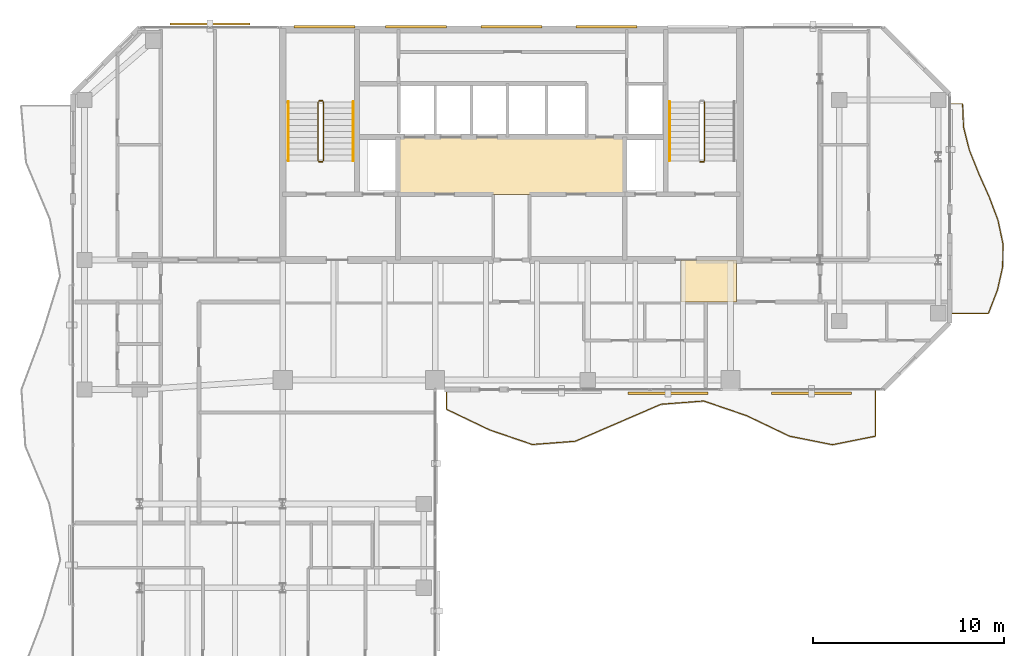
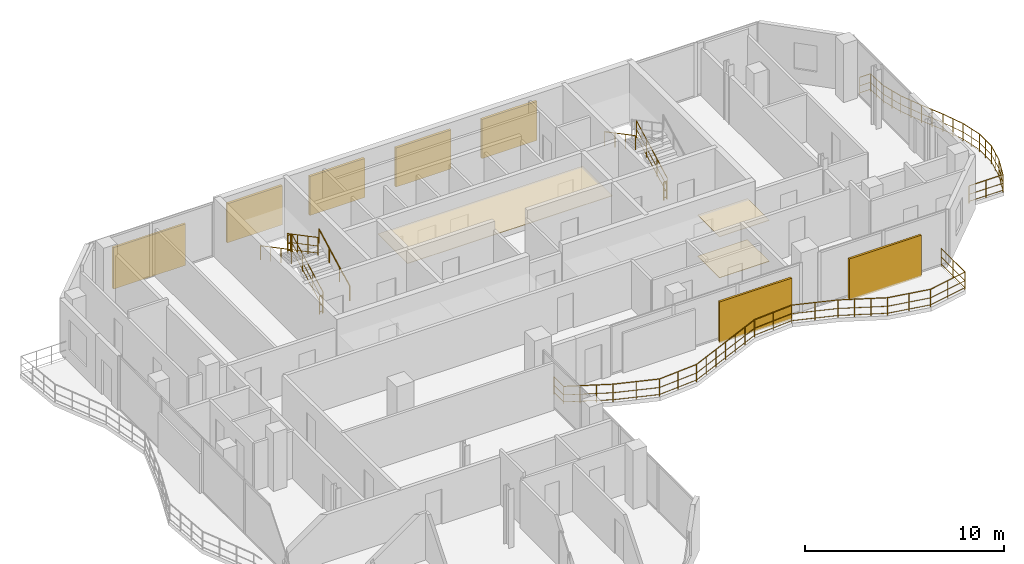
# One storey, part 22 of 23: 11 railings, 7 shading devices, 3 coverings.
"""IFC4 building model written with IfcOpenShell, lengths in metres."""

from ifc_helpers import new_model, si_unit, direction, frame, origin, origin_2d, place, context, subcontext, project, spatial, polyline, rectangle, circle, outline, extrude, material, layer, layer_set, type_object, element, save


model = new_model("IFC4")

# Units and contexts
model_context = context("Model", 3, precision=1e-05, world=origin(), true_north=direction((0.0, 1.0)))
body_context = subcontext(model_context, "Body", "Model", "MODEL_VIEW")
ifc_project = project(units=[si_unit("LENGTHUNIT", "METRE"), si_unit("AREAUNIT", "SQUARE_METRE"), si_unit("VOLUMEUNIT", "CUBIC_METRE"), si_unit("PLANEANGLEUNIT", "RADIAN"), si_unit("MASSUNIT", "GRAM", prefix="KILO")], contexts=[model_context])

# Site, building, storey
site_placement = place(None, origin())
site = spatial("IfcSite", under=ifc_project, at=site_placement, CompositionType="ELEMENT")
building_placement = place(site_placement, origin())
building = spatial("IfcBuilding", under=site, at=building_placement, Name="Catumbela Crestline Tower", CompositionType="ELEMENT")
storey_placement = place(building_placement, frame((0.0, 0.0, 186.6)))
storey = spatial("IfcBuildingStorey", under=building, at=storey_placement, Name="L48", CompositionType="ELEMENT", Elevation=186.6)

# Coverings
ifc_material_1 = material(Name="Mineral-fibre acoustic ceiling")
ifc_layer_1 = layer(ifc_material_1, 0.03, Name="Mineral-fibre acoustic ceiling")
ifc_layer_set_1 = layer_set([ifc_layer_1], Name="Mineral-fibre acoustic ceiling")
covering_type_1 = type_object("IfcCoveringType", Name="CC-AC", PredefinedType="CEILING", material=ifc_layer_set_1)
covering_1_placement = place(storey_placement, frame((0.0, 0.0, 2.65)))
element("IfcCovering", 1, at=covering_1_placement, inside=storey, type_object=covering_type_1, Name="L48 Lift Lobby Acoustic Ceiling", PredefinedType="CEILING", context=body_context, shape_type="SweptSolid", body=[
    extrude(outline(polyline([(22.05, 34.25), (33.95, 34.25), (33.95, 37.25), (22.05, 37.25), (22.05, 34.25)])), origin(), (0.0, 0.0, 1.0), 0.03),
])
covering_2_placement = place(storey_placement, frame((0.0, 0.0, 2.52)))
element("IfcCovering", 2, at=covering_2_placement, inside=storey, type_object=covering_type_1, Name="L48 Corridor Acoustic Ceiling Bay 8", PredefinedType="CEILING", context=body_context, shape_type="SweptSolid", body=[
    extrude(outline(polyline([(36.9, 28.6), (39.8, 28.6), (39.8, 30.8), (36.9, 30.8), (36.9, 28.6)])), origin(), (0.0, 0.0, 1.0), 0.03),
])
ifc_material_2 = material(Name="Angolan grey-ochre granite", Category="masonry")
ifc_layer_2 = layer(ifc_material_2, 0.025, Name="Angolan grey-ochre granite")
ifc_layer_set_2 = layer_set([ifc_layer_2], Name="Angolan grey-ochre granite")
covering_type_2 = type_object("IfcCoveringType", Name="CF-GR", PredefinedType="FLOORING", material=ifc_layer_set_2)
covering_3_placement = place(storey_placement, origin())
element("IfcCovering", 3, at=covering_3_placement, inside=storey, type_object=covering_type_2, Name="L48 Corridor Granite Flooring Bay 8", PredefinedType="FLOORING", context=body_context, shape_type="SweptSolid", body=[
    extrude(outline(polyline([(36.9, 28.6), (39.8, 28.6), (39.8, 30.8), (36.9, 30.8), (36.9, 28.6)])), origin(), (0.0, 0.0, 1.0), 0.025),
])

# Railings
ifc_material_3 = material(Name="Stainless steel EN 1.4401", Category="steel")
railing_type_1 = type_object("IfcRailingType", Name="RB-1100", PredefinedType="BALUSTRADE", material=ifc_material_3)
railing_1_placement = place(storey_placement, frame((24.6, 23.94, 0.0)))
element("IfcRailing", 4, at=railing_1_placement, inside=storey, type_object=railing_type_1, Name="L48 Private Wave Balcony Balustrade 1", PredefinedType="BALUSTRADE", context=body_context, shape_type="SweptSolid", body=[
    extrude(circle(Radius=0.024, at=origin_2d()), frame((0.0, 0.0, 1.076), z_axis=(0.0, -1.0, 0.0), x_axis=(1.0, 0.0, 0.0)), (0.0, 0.0, 1.0), 0.9747),
    extrude(circle(Radius=0.0156, at=origin_2d()), frame((0.0, 0.0, 0.55), z_axis=(0.0, -1.0, 0.0), x_axis=(1.0, 0.0, 0.0)), (0.0, 0.0, 1.0), 0.9747),
    extrude(circle(Radius=0.0156, at=origin_2d()), frame((0.0, 0.0, 0.12), z_axis=(0.0, -1.0, 0.0), x_axis=(1.0, 0.0, 0.0)), (0.0, 0.0, 1.0), 0.9747),
    extrude(circle(Radius=0.024, at=origin_2d()), frame((0.0, -0.9747, 1.076), z_axis=(0.902132186045, -0.431459753513, 0.0), x_axis=(0.431459753513, 0.902132186045, 0.0)), (0.0, 0.0, 1.0), 2.4941),
    extrude(circle(Radius=0.0156, at=origin_2d()), frame((0.0, -0.9747, 0.55), z_axis=(0.902132186045, -0.431459753513, 0.0), x_axis=(0.431459753513, 0.902132186045, 0.0)), (0.0, 0.0, 1.0), 2.4941),
    extrude(circle(Radius=0.0156, at=origin_2d()), frame((0.0, -0.9747, 0.12), z_axis=(0.902132186045, -0.431459753513, 0.0), x_axis=(0.431459753513, 0.902132186045, 0.0)), (0.0, 0.0, 1.0), 2.4941),
    extrude(circle(Radius=0.024, at=origin_2d()), frame((2.25, -2.0508, 1.076), z_axis=(0.946065665735, -0.323974931311, 0.0), x_axis=(0.323974931311, 0.946065665735, 0.0)), (0.0, 0.0, 1.0), 2.3783),
    extrude(circle(Radius=0.0156, at=origin_2d()), frame((2.25, -2.0508, 0.55), z_axis=(0.946065665735, -0.323974931311, 0.0), x_axis=(0.323974931311, 0.946065665735, 0.0)), (0.0, 0.0, 1.0), 2.3783),
    extrude(circle(Radius=0.0156, at=origin_2d()), frame((2.25, -2.0508, 0.12), z_axis=(0.946065665735, -0.323974931311, 0.0), x_axis=(0.323974931311, 0.946065665735, 0.0)), (0.0, 0.0, 1.0), 2.3783),
    extrude(circle(Radius=0.024, at=origin_2d()), frame((4.5, -2.8213, 1.076), z_axis=(0.997141170455, 0.075561142028, 0.0), x_axis=(-0.075561142028, 0.997141170455, 0.0)), (0.0, 0.0, 1.0), 2.2565),
    extrude(circle(Radius=0.0156, at=origin_2d()), frame((4.5, -2.8213, 0.55), z_axis=(0.997141170455, 0.075561142028, 0.0), x_axis=(-0.075561142028, 0.997141170455, 0.0)), (0.0, 0.0, 1.0), 2.2565),
    extrude(circle(Radius=0.0156, at=origin_2d()), frame((4.5, -2.8213, 0.12), z_axis=(0.997141170455, 0.075561142028, 0.0), x_axis=(-0.075561142028, 0.997141170455, 0.0)), (0.0, 0.0, 1.0), 2.2565),
    extrude(circle(Radius=0.024, at=origin_2d()), frame((6.75, -2.6508, 1.076), z_axis=(0.918179780553, 0.396163969316, 0.0), x_axis=(-0.396163969316, 0.918179780553, 0.0)), (0.0, 0.0, 1.0), 2.4505),
    extrude(circle(Radius=0.0156, at=origin_2d()), frame((6.75, -2.6508, 0.55), z_axis=(0.918179780553, 0.396163969316, 0.0), x_axis=(-0.396163969316, 0.918179780553, 0.0)), (0.0, 0.0, 1.0), 2.4505),
    extrude(circle(Radius=0.0156, at=origin_2d()), frame((6.75, -2.6508, 0.12), z_axis=(0.918179780553, 0.396163969316, 0.0), x_axis=(-0.396163969316, 0.918179780553, 0.0)), (0.0, 0.0, 1.0), 2.4505),
    extrude(circle(Radius=0.024, at=origin_2d()), frame((9.0, -1.68, 1.076), z_axis=(0.918179780553, 0.396163969316, 0.0), x_axis=(-0.396163969316, 0.918179780553, 0.0)), (0.0, 0.0, 1.0), 2.4505),
    extrude(circle(Radius=0.0156, at=origin_2d()), frame((9.0, -1.68, 0.55), z_axis=(0.918179780553, 0.396163969316, 0.0), x_axis=(-0.396163969316, 0.918179780553, 0.0)), (0.0, 0.0, 1.0), 2.4505),
    extrude(circle(Radius=0.0156, at=origin_2d()), frame((9.0, -1.68, 0.12), z_axis=(0.918179780553, 0.396163969316, 0.0), x_axis=(-0.396163969316, 0.918179780553, 0.0)), (0.0, 0.0, 1.0), 2.4505),
    extrude(circle(Radius=0.024, at=origin_2d()), frame((11.25, -0.7092, 1.076), z_axis=(0.997141170455, 0.075561142028, 0.0), x_axis=(-0.075561142028, 0.997141170455, 0.0)), (0.0, 0.0, 1.0), 2.2565),
    extrude(circle(Radius=0.0156, at=origin_2d()), frame((11.25, -0.7092, 0.55), z_axis=(0.997141170455, 0.075561142028, 0.0), x_axis=(-0.075561142028, 0.997141170455, 0.0)), (0.0, 0.0, 1.0), 2.2565),
    extrude(circle(Radius=0.0156, at=origin_2d()), frame((11.25, -0.7092, 0.12), z_axis=(0.997141170455, 0.075561142028, 0.0), x_axis=(-0.075561142028, 0.997141170455, 0.0)), (0.0, 0.0, 1.0), 2.2565),
    extrude(circle(Radius=0.024, at=origin_2d()), frame((13.5, -0.5387, 1.076), z_axis=(0.946065665735, -0.323974931311, 0.0), x_axis=(0.323974931311, 0.946065665735, 0.0)), (0.0, 0.0, 1.0), 2.3783),
    extrude(circle(Radius=0.0156, at=origin_2d()), frame((13.5, -0.5387, 0.55), z_axis=(0.946065665735, -0.323974931311, 0.0), x_axis=(0.323974931311, 0.946065665735, 0.0)), (0.0, 0.0, 1.0), 2.3783),
    extrude(circle(Radius=0.0156, at=origin_2d()), frame((13.5, -0.5387, 0.12), z_axis=(0.946065665735, -0.323974931311, 0.0), x_axis=(0.323974931311, 0.946065665735, 0.0)), (0.0, 0.0, 1.0), 2.3783),
    extrude(circle(Radius=0.024, at=origin_2d()), frame((15.75, -1.3092, 1.076), z_axis=(0.902132186045, -0.431459753513, 0.0), x_axis=(0.431459753513, 0.902132186045, 0.0)), (0.0, 0.0, 1.0), 2.4941),
    extrude(circle(Radius=0.0156, at=origin_2d()), frame((15.75, -1.3092, 0.55), z_axis=(0.902132186045, -0.431459753513, 0.0), x_axis=(0.431459753513, 0.902132186045, 0.0)), (0.0, 0.0, 1.0), 2.4941),
    extrude(circle(Radius=0.0156, at=origin_2d()), frame((15.75, -1.3092, 0.12), z_axis=(0.902132186045, -0.431459753513, 0.0), x_axis=(0.431459753513, 0.902132186045, 0.0)), (0.0, 0.0, 1.0), 2.4941),
    extrude(circle(Radius=0.024, at=origin_2d()), frame((18.0, -2.3853, 1.076), z_axis=(0.981022553047, -0.193893657484, 0.0), x_axis=(0.193893657484, 0.981022553047, 0.0)), (0.0, 0.0, 1.0), 2.2935),
    extrude(circle(Radius=0.0156, at=origin_2d()), frame((18.0, -2.3853, 0.55), z_axis=(0.981022553047, -0.193893657484, 0.0), x_axis=(0.193893657484, 0.981022553047, 0.0)), (0.0, 0.0, 1.0), 2.2935),
    extrude(circle(Radius=0.0156, at=origin_2d()), frame((18.0, -2.3853, 0.12), z_axis=(0.981022553047, -0.193893657484, 0.0), x_axis=(0.193893657484, 0.981022553047, 0.0)), (0.0, 0.0, 1.0), 2.2935),
    extrude(circle(Radius=0.024, at=origin_2d()), frame((20.25, -2.83, 1.076), z_axis=(0.981022553047, 0.193893657484, 0.0), x_axis=(-0.193893657484, 0.981022553047, 0.0)), (0.0, 0.0, 1.0), 2.2935),
    extrude(circle(Radius=0.0156, at=origin_2d()), frame((20.25, -2.83, 0.55), z_axis=(0.981022553047, 0.193893657484, 0.0), x_axis=(-0.193893657484, 0.981022553047, 0.0)), (0.0, 0.0, 1.0), 2.2935),
    extrude(circle(Radius=0.0156, at=origin_2d()), frame((20.25, -2.83, 0.12), z_axis=(0.981022553047, 0.193893657484, 0.0), x_axis=(-0.193893657484, 0.981022553047, 0.0)), (0.0, 0.0, 1.0), 2.2935),
    extrude(circle(Radius=0.024, at=origin_2d()), frame((22.5, -2.3853, 1.076), z_axis=(0.0, 1.0, 0.0), x_axis=(-1.0, 0.0, 0.0)), (0.0, 0.0, 1.0), 2.3853),
    extrude(circle(Radius=0.0156, at=origin_2d()), frame((22.5, -2.3853, 0.55), z_axis=(0.0, 1.0, 0.0), x_axis=(-1.0, 0.0, 0.0)), (0.0, 0.0, 1.0), 2.3853),
    extrude(circle(Radius=0.0156, at=origin_2d()), frame((22.5, -2.3853, 0.12), z_axis=(0.0, 1.0, 0.0), x_axis=(-1.0, 0.0, 0.0)), (0.0, 0.0, 1.0), 2.3853),
    extrude(circle(Radius=0.021, at=origin_2d()), origin(), (0.0, 0.0, 1.0), 1.052),
    extrude(circle(Radius=0.021, at=origin_2d()), frame((0.0, -0.9747, 0.0)), (0.0, 0.0, 1.0), 1.052),
    extrude(circle(Radius=0.021, at=origin_2d()), frame((0.75, -1.3334, 0.0)), (0.0, 0.0, 1.0), 1.052),
    extrude(circle(Radius=0.021, at=origin_2d()), frame((1.5, -1.6921, 0.0)), (0.0, 0.0, 1.0), 1.052),
    extrude(circle(Radius=0.021, at=origin_2d()), frame((2.25, -2.0508, 0.0)), (0.0, 0.0, 1.0), 1.052),
    extrude(circle(Radius=0.021, at=origin_2d()), frame((3.375, -2.4361, 0.0)), (0.0, 0.0, 1.0), 1.052),
    extrude(circle(Radius=0.021, at=origin_2d()), frame((4.5, -2.8213, 0.0)), (0.0, 0.0, 1.0), 1.052),
    extrude(circle(Radius=0.021, at=origin_2d()), frame((5.625, -2.7361, 0.0)), (0.0, 0.0, 1.0), 1.052),
    extrude(circle(Radius=0.021, at=origin_2d()), frame((6.75, -2.6508, 0.0)), (0.0, 0.0, 1.0), 1.052),
    extrude(circle(Radius=0.021, at=origin_2d()), frame((7.5, -2.3272, 0.0)), (0.0, 0.0, 1.0), 1.052),
    extrude(circle(Radius=0.021, at=origin_2d()), frame((8.25, -2.0036, 0.0)), (0.0, 0.0, 1.0), 1.052),
    extrude(circle(Radius=0.021, at=origin_2d()), frame((9.0, -1.68, 0.0)), (0.0, 0.0, 1.0), 1.052),
    extrude(circle(Radius=0.021, at=origin_2d()), frame((9.75, -1.3564, 0.0)), (0.0, 0.0, 1.0), 1.052),
    extrude(circle(Radius=0.021, at=origin_2d()), frame((10.5, -1.0328, 0.0)), (0.0, 0.0, 1.0), 1.052),
    extrude(circle(Radius=0.021, at=origin_2d()), frame((11.25, -0.7092, 0.0)), (0.0, 0.0, 1.0), 1.052),
    extrude(circle(Radius=0.021, at=origin_2d()), frame((12.375, -0.624, 0.0)), (0.0, 0.0, 1.0), 1.052),
    extrude(circle(Radius=0.021, at=origin_2d()), frame((13.5, -0.5387, 0.0)), (0.0, 0.0, 1.0), 1.052),
    extrude(circle(Radius=0.021, at=origin_2d()), frame((14.625, -0.924, 0.0)), (0.0, 0.0, 1.0), 1.052),
    extrude(circle(Radius=0.021, at=origin_2d()), frame((15.75, -1.3092, 0.0)), (0.0, 0.0, 1.0), 1.052),
    extrude(circle(Radius=0.021, at=origin_2d()), frame((16.5, -1.6679, 0.0)), (0.0, 0.0, 1.0), 1.052),
    extrude(circle(Radius=0.021, at=origin_2d()), frame((17.25, -2.0266, 0.0)), (0.0, 0.0, 1.0), 1.052),
    extrude(circle(Radius=0.021, at=origin_2d()), frame((18.0, -2.3853, 0.0)), (0.0, 0.0, 1.0), 1.052),
    extrude(circle(Radius=0.021, at=origin_2d()), frame((19.125, -2.6077, 0.0)), (0.0, 0.0, 1.0), 1.052),
    extrude(circle(Radius=0.021, at=origin_2d()), frame((20.25, -2.83, 0.0)), (0.0, 0.0, 1.0), 1.052),
    extrude(circle(Radius=0.021, at=origin_2d()), frame((21.375, -2.6077, 0.0)), (0.0, 0.0, 1.0), 1.052),
    extrude(circle(Radius=0.021, at=origin_2d()), frame((22.5, -2.3853, 0.0)), (0.0, 0.0, 1.0), 1.052),
    extrude(circle(Radius=0.021, at=origin_2d()), frame((22.5, -1.1927, 0.0)), (0.0, 0.0, 1.0), 1.052),
    extrude(circle(Radius=0.021, at=origin_2d()), frame((22.5, 0.0, 0.0)), (0.0, 0.0, 1.0), 1.052),
])
railing_2_placement = place(storey_placement, frame((51.06, 28.0, 0.0)))
element("IfcRailing", 5, at=railing_2_placement, inside=storey, type_object=railing_type_1, Name="L48 Private Wave Balcony Balustrade 2", PredefinedType="BALUSTRADE", context=body_context, shape_type="SweptSolid", body=[
    extrude(circle(Radius=0.024, at=origin_2d()), frame((0.0, 0.0, 1.076), z_axis=(1.0, 0.0, 0.0), x_axis=(0.0, 1.0, 0.0)), (0.0, 0.0, 1.0), 1.9698),
    extrude(circle(Radius=0.0156, at=origin_2d()), frame((0.0, 0.0, 0.55), z_axis=(1.0, 0.0, 0.0), x_axis=(0.0, 1.0, 0.0)), (0.0, 0.0, 1.0), 1.9698),
    extrude(circle(Radius=0.0156, at=origin_2d()), frame((0.0, 0.0, 0.12), z_axis=(1.0, 0.0, 0.0), x_axis=(0.0, 1.0, 0.0)), (0.0, 0.0, 1.0), 1.9698),
    extrude(circle(Radius=0.024, at=origin_2d()), frame((1.9698, 0.0, 1.076), z_axis=(0.360589425238, 0.932724646617, 0.0), x_axis=(-0.932724646617, 0.360589425238, 0.0)), (0.0, 0.0, 1.0), 1.3104),
    extrude(circle(Radius=0.0156, at=origin_2d()), frame((1.9698, 0.0, 0.55), z_axis=(0.360589425238, 0.932724646617, 0.0), x_axis=(-0.932724646617, 0.360589425238, 0.0)), (0.0, 0.0, 1.0), 1.3104),
    extrude(circle(Radius=0.0156, at=origin_2d()), frame((1.9698, 0.0, 0.12), z_axis=(0.360589425238, 0.932724646617, 0.0), x_axis=(-0.932724646617, 0.360589425238, 0.0)), (0.0, 0.0, 1.0), 1.3104),
    extrude(circle(Radius=0.024, at=origin_2d()), frame((2.4423, 1.2222, 1.076), z_axis=(0.221110639071, 0.975248729961, 0.0), x_axis=(-0.975248729961, 0.221110639071, 0.0)), (0.0, 0.0, 1.0), 1.2532),
    extrude(circle(Radius=0.0156, at=origin_2d()), frame((2.4423, 1.2222, 0.55), z_axis=(0.221110639071, 0.975248729961, 0.0), x_axis=(-0.975248729961, 0.221110639071, 0.0)), (0.0, 0.0, 1.0), 1.2532),
    extrude(circle(Radius=0.0156, at=origin_2d()), frame((2.4423, 1.2222, 0.12), z_axis=(0.221110639071, 0.975248729961, 0.0), x_axis=(-0.975248729961, 0.221110639071, 0.0)), (0.0, 0.0, 1.0), 1.2532),
    extrude(circle(Radius=0.024, at=origin_2d()), frame((2.7194, 2.4444, 1.076), z_axis=(0.008590045489, 0.999963104879, 0.0), x_axis=(-0.999963104879, 0.008590045489, 0.0)), (0.0, 0.0, 1.0), 1.2223),
    extrude(circle(Radius=0.0156, at=origin_2d()), frame((2.7194, 2.4444, 0.55), z_axis=(0.008590045489, 0.999963104879, 0.0), x_axis=(-0.999963104879, 0.008590045489, 0.0)), (0.0, 0.0, 1.0), 1.2223),
    extrude(circle(Radius=0.0156, at=origin_2d()), frame((2.7194, 2.4444, 0.12), z_axis=(0.008590045489, 0.999963104879, 0.0), x_axis=(-0.999963104879, 0.008590045489, 0.0)), (0.0, 0.0, 1.0), 1.2223),
    extrude(circle(Radius=0.024, at=origin_2d()), frame((2.7299, 3.6667, 1.076), z_axis=(-0.207079409578, 0.978324137558, 0.0), x_axis=(-0.978324137558, -0.207079409578, 0.0)), (0.0, 0.0, 1.0), 1.2493),
    extrude(circle(Radius=0.0156, at=origin_2d()), frame((2.7299, 3.6667, 0.55), z_axis=(-0.207079409578, 0.978324137558, 0.0), x_axis=(-0.978324137558, -0.207079409578, 0.0)), (0.0, 0.0, 1.0), 1.2493),
    extrude(circle(Radius=0.0156, at=origin_2d()), frame((2.7299, 3.6667, 0.12), z_axis=(-0.207079409578, 0.978324137558, 0.0), x_axis=(-0.978324137558, -0.207079409578, 0.0)), (0.0, 0.0, 1.0), 1.2493),
    extrude(circle(Radius=0.024, at=origin_2d()), frame((2.4712, 4.8889, 1.076), z_axis=(-0.353320187864, 0.935502455821, 0.0), x_axis=(-0.935502455821, -0.353320187864, 0.0)), (0.0, 0.0, 1.0), 1.3065),
    extrude(circle(Radius=0.0156, at=origin_2d()), frame((2.4712, 4.8889, 0.55), z_axis=(-0.353320187864, 0.935502455821, 0.0), x_axis=(-0.935502455821, -0.353320187864, 0.0)), (0.0, 0.0, 1.0), 1.3065),
    extrude(circle(Radius=0.0156, at=origin_2d()), frame((2.4712, 4.8889, 0.12), z_axis=(-0.353320187864, 0.935502455821, 0.0), x_axis=(-0.935502455821, -0.353320187864, 0.0)), (0.0, 0.0, 1.0), 1.3065),
    extrude(circle(Radius=0.024, at=origin_2d()), frame((2.0096, 6.1111, 1.076), z_axis=(-0.407946686681, 0.913005750708, 0.0), x_axis=(-0.913005750708, -0.407946686681, 0.0)), (0.0, 0.0, 1.0), 1.3387),
    extrude(circle(Radius=0.0156, at=origin_2d()), frame((2.0096, 6.1111, 0.55), z_axis=(-0.407946686681, 0.913005750708, 0.0), x_axis=(-0.913005750708, -0.407946686681, 0.0)), (0.0, 0.0, 1.0), 1.3387),
    extrude(circle(Radius=0.0156, at=origin_2d()), frame((2.0096, 6.1111, 0.12), z_axis=(-0.407946686681, 0.913005750708, 0.0), x_axis=(-0.913005750708, -0.407946686681, 0.0)), (0.0, 0.0, 1.0), 1.3387),
    extrude(circle(Radius=0.024, at=origin_2d()), frame((1.4635, 7.3333, 1.076), z_axis=(-0.372490025176, 0.928036196031, 0.0), x_axis=(-0.928036196031, -0.372490025176, 0.0)), (0.0, 0.0, 1.0), 1.3171),
    extrude(circle(Radius=0.0156, at=origin_2d()), frame((1.4635, 7.3333, 0.55), z_axis=(-0.372490025176, 0.928036196031, 0.0), x_axis=(-0.928036196031, -0.372490025176, 0.0)), (0.0, 0.0, 1.0), 1.3171),
    extrude(circle(Radius=0.0156, at=origin_2d()), frame((1.4635, 7.3333, 0.12), z_axis=(-0.372490025176, 0.928036196031, 0.0), x_axis=(-0.928036196031, -0.372490025176, 0.0)), (0.0, 0.0, 1.0), 1.3171),
    extrude(circle(Radius=0.024, at=origin_2d()), frame((0.9729, 8.5556, 1.076), z_axis=(-0.245334114458, 0.969438586133, 0.0), x_axis=(-0.969438586133, -0.245334114458, 0.0)), (0.0, 0.0, 1.0), 1.2607),
    extrude(circle(Radius=0.0156, at=origin_2d()), frame((0.9729, 8.5556, 0.55), z_axis=(-0.245334114458, 0.969438586133, 0.0), x_axis=(-0.969438586133, -0.245334114458, 0.0)), (0.0, 0.0, 1.0), 1.2607),
    extrude(circle(Radius=0.0156, at=origin_2d()), frame((0.9729, 8.5556, 0.12), z_axis=(-0.245334114458, 0.969438586133, 0.0), x_axis=(-0.969438586133, -0.245334114458, 0.0)), (0.0, 0.0, 1.0), 1.2607),
    extrude(circle(Radius=0.024, at=origin_2d()), frame((0.6636, 9.7778, 1.076), z_axis=(-0.039732958798, 0.999210334207, 0.0), x_axis=(-0.999210334207, -0.039732958798, 0.0)), (0.0, 0.0, 1.0), 1.2232),
    extrude(circle(Radius=0.0156, at=origin_2d()), frame((0.6636, 9.7778, 0.55), z_axis=(-0.039732958798, 0.999210334207, 0.0), x_axis=(-0.999210334207, -0.039732958798, 0.0)), (0.0, 0.0, 1.0), 1.2232),
    extrude(circle(Radius=0.0156, at=origin_2d()), frame((0.6636, 9.7778, 0.12), z_axis=(-0.039732958798, 0.999210334207, 0.0), x_axis=(-0.999210334207, -0.039732958798, 0.0)), (0.0, 0.0, 1.0), 1.2232),
    extrude(circle(Radius=0.024, at=origin_2d()), frame((0.615, 11.0, 1.076), z_axis=(-1.0, 0.0, 0.0), x_axis=(0.0, -1.0, 0.0)), (0.0, 0.0, 1.0), 0.615),
    extrude(circle(Radius=0.0156, at=origin_2d()), frame((0.615, 11.0, 0.55), z_axis=(-1.0, 0.0, 0.0), x_axis=(0.0, -1.0, 0.0)), (0.0, 0.0, 1.0), 0.615),
    extrude(circle(Radius=0.0156, at=origin_2d()), frame((0.615, 11.0, 0.12), z_axis=(-1.0, 0.0, 0.0), x_axis=(0.0, -1.0, 0.0)), (0.0, 0.0, 1.0), 0.615),
    extrude(circle(Radius=0.021, at=origin_2d()), origin(), (0.0, 0.0, 1.0), 1.052),
    extrude(circle(Radius=0.021, at=origin_2d()), frame((0.9849, 0.0, 0.0)), (0.0, 0.0, 1.0), 1.052),
    extrude(circle(Radius=0.021, at=origin_2d()), frame((1.9698, 0.0, 0.0)), (0.0, 0.0, 1.0), 1.052),
    extrude(circle(Radius=0.021, at=origin_2d()), frame((2.206, 0.6111, 0.0)), (0.0, 0.0, 1.0), 1.052),
    extrude(circle(Radius=0.021, at=origin_2d()), frame((2.4423, 1.2222, 0.0)), (0.0, 0.0, 1.0), 1.052),
    extrude(circle(Radius=0.021, at=origin_2d()), frame((2.5808, 1.8333, 0.0)), (0.0, 0.0, 1.0), 1.052),
    extrude(circle(Radius=0.021, at=origin_2d()), frame((2.7194, 2.4444, 0.0)), (0.0, 0.0, 1.0), 1.052),
    extrude(circle(Radius=0.021, at=origin_2d()), frame((2.7247, 3.0556, 0.0)), (0.0, 0.0, 1.0), 1.052),
    extrude(circle(Radius=0.021, at=origin_2d()), frame((2.7299, 3.6667, 0.0)), (0.0, 0.0, 1.0), 1.052),
    extrude(circle(Radius=0.021, at=origin_2d()), frame((2.6005, 4.2778, 0.0)), (0.0, 0.0, 1.0), 1.052),
    extrude(circle(Radius=0.021, at=origin_2d()), frame((2.4712, 4.8889, 0.0)), (0.0, 0.0, 1.0), 1.052),
    extrude(circle(Radius=0.021, at=origin_2d()), frame((2.2404, 5.5, 0.0)), (0.0, 0.0, 1.0), 1.052),
    extrude(circle(Radius=0.021, at=origin_2d()), frame((2.0096, 6.1111, 0.0)), (0.0, 0.0, 1.0), 1.052),
    extrude(circle(Radius=0.021, at=origin_2d()), frame((1.7365, 6.7222, 0.0)), (0.0, 0.0, 1.0), 1.052),
    extrude(circle(Radius=0.021, at=origin_2d()), frame((1.4635, 7.3333, 0.0)), (0.0, 0.0, 1.0), 1.052),
    extrude(circle(Radius=0.021, at=origin_2d()), frame((1.2182, 7.9444, 0.0)), (0.0, 0.0, 1.0), 1.052),
    extrude(circle(Radius=0.021, at=origin_2d()), frame((0.9729, 8.5556, 0.0)), (0.0, 0.0, 1.0), 1.052),
    extrude(circle(Radius=0.021, at=origin_2d()), frame((0.8182, 9.1667, 0.0)), (0.0, 0.0, 1.0), 1.052),
    extrude(circle(Radius=0.021, at=origin_2d()), frame((0.6636, 9.7778, 0.0)), (0.0, 0.0, 1.0), 1.052),
    extrude(circle(Radius=0.021, at=origin_2d()), frame((0.6393, 10.3889, 0.0)), (0.0, 0.0, 1.0), 1.052),
    extrude(circle(Radius=0.021, at=origin_2d()), frame((0.615, 11.0, 0.0)), (0.0, 0.0, 1.0), 1.052),
    extrude(circle(Radius=0.021, at=origin_2d()), frame((0.0, 11.0, 0.0)), (0.0, 0.0, 1.0), 1.052),
])
railing_type_2 = type_object("IfcRailingType", Name="RG-1100", PredefinedType="GUARDRAIL", material=ifc_material_3)
railing_3_placement = place(storey_placement, frame((18.14, 36.0, 0.1636)))
element("IfcRailing", 6, at=railing_3_placement, inside=storey, type_object=railing_type_2, Name="L48 ST-01 stair guard 1", PredefinedType="GUARDRAIL", context=body_context, shape_type="SweptSolid", body=[
    extrude(circle(Radius=0.024, at=origin_2d()), frame((0.0, 0.0, 1.076), z_axis=(0.0, 0.884350731049, 0.466823076222), x_axis=(-1.0, 0.0, 0.0)), (0.0, 0.0, 1.0), 3.5054),
    extrude(circle(Radius=0.0156, at=origin_2d()), frame((0.0, 0.0, 0.55), z_axis=(0.0, 0.884350731049, 0.466823076222), x_axis=(-1.0, 0.0, 0.0)), (0.0, 0.0, 1.0), 3.5054),
    extrude(circle(Radius=0.0156, at=origin_2d()), frame((0.0, 0.0, 0.12), z_axis=(0.0, 0.884350731049, 0.466823076222), x_axis=(-1.0, 0.0, 0.0)), (0.0, 0.0, 1.0), 3.5054),
    extrude(circle(Radius=0.021, at=origin_2d()), origin(), (0.0, 0.0, 1.0), 1.052),
    extrude(circle(Radius=0.021, at=origin_2d()), frame((0.0, 1.0333, 0.5455)), (0.0, 0.0, 1.0), 1.052),
    extrude(circle(Radius=0.021, at=origin_2d()), frame((0.0, 2.0667, 1.0909)), (0.0, 0.0, 1.0), 1.052),
    extrude(circle(Radius=0.021, at=origin_2d()), frame((0.0, 3.1, 1.6364)), (0.0, 0.0, 1.0), 1.052),
])
railing_4_placement = place(storey_placement, frame((18.09, 39.15, 1.8)))
element("IfcRailing", 7, at=railing_4_placement, inside=storey, type_object=railing_type_2, Name="L48 ST-01 stair guard 2", PredefinedType="GUARDRAIL", context=body_context, shape_type="SweptSolid", body=[
    extrude(circle(Radius=0.024, at=origin_2d()), frame((0.0, 0.0, 1.076), z_axis=(-1.0, 0.0, 0.0), x_axis=(0.0, -1.0, 0.0)), (0.0, 0.0, 1.0), 0.18),
    extrude(circle(Radius=0.0156, at=origin_2d()), frame((0.0, 0.0, 0.55), z_axis=(-1.0, 0.0, 0.0), x_axis=(0.0, -1.0, 0.0)), (0.0, 0.0, 1.0), 0.18),
    extrude(circle(Radius=0.0156, at=origin_2d()), frame((0.0, 0.0, 0.12), z_axis=(-1.0, 0.0, 0.0), x_axis=(0.0, -1.0, 0.0)), (0.0, 0.0, 1.0), 0.18),
    extrude(circle(Radius=0.021, at=origin_2d()), origin(), (0.0, 0.0, 1.0), 1.052),
    extrude(circle(Radius=0.021, at=origin_2d()), frame((-0.18, 0.0, 0.0)), (0.0, 0.0, 1.0), 1.052),
])
railing_5_placement = place(storey_placement, frame((17.86, 39.1, 1.9636)))
element("IfcRailing", 8, at=railing_5_placement, inside=storey, type_object=railing_type_2, Name="L48 ST-01 stair guard 3", PredefinedType="GUARDRAIL", context=body_context, shape_type="SweptSolid", body=[
    extrude(circle(Radius=0.024, at=origin_2d()), frame((0.0, 0.0, 1.076), z_axis=(0.0, -0.884350731049, 0.466823076222), x_axis=(1.0, 0.0, 0.0)), (0.0, 0.0, 1.0), 3.5054),
    extrude(circle(Radius=0.0156, at=origin_2d()), frame((0.0, 0.0, 0.55), z_axis=(0.0, -0.884350731049, 0.466823076222), x_axis=(1.0, 0.0, 0.0)), (0.0, 0.0, 1.0), 3.5054),
    extrude(circle(Radius=0.0156, at=origin_2d()), frame((0.0, 0.0, 0.12), z_axis=(0.0, -0.884350731049, 0.466823076222), x_axis=(1.0, 0.0, 0.0)), (0.0, 0.0, 1.0), 3.5054),
    extrude(circle(Radius=0.021, at=origin_2d()), origin(), (0.0, 0.0, 1.0), 1.052),
    extrude(circle(Radius=0.021, at=origin_2d()), frame((0.0, -1.0333, 0.5455)), (0.0, 0.0, 1.0), 1.052),
    extrude(circle(Radius=0.021, at=origin_2d()), frame((0.0, -2.0667, 1.0909)), (0.0, 0.0, 1.0), 1.052),
    extrude(circle(Radius=0.021, at=origin_2d()), frame((0.0, -3.1, 1.6364)), (0.0, 0.0, 1.0), 1.052),
])
railing_6_placement = place(storey_placement, frame((18.09, 35.95, 0.0)))
element("IfcRailing", 9, at=railing_6_placement, inside=storey, type_object=railing_type_2, Name="L48 ST-01 stair guard 4", PredefinedType="GUARDRAIL", context=body_context, shape_type="SweptSolid", body=[
    extrude(circle(Radius=0.024, at=origin_2d()), frame((0.0, 0.0, 1.076), z_axis=(-1.0, 0.0, 0.0), x_axis=(0.0, -1.0, 0.0)), (0.0, 0.0, 1.0), 0.18),
    extrude(circle(Radius=0.0156, at=origin_2d()), frame((0.0, 0.0, 0.55), z_axis=(-1.0, 0.0, 0.0), x_axis=(0.0, -1.0, 0.0)), (0.0, 0.0, 1.0), 0.18),
    extrude(circle(Radius=0.0156, at=origin_2d()), frame((0.0, 0.0, 0.12), z_axis=(-1.0, 0.0, 0.0), x_axis=(0.0, -1.0, 0.0)), (0.0, 0.0, 1.0), 0.18),
    extrude(circle(Radius=0.021, at=origin_2d()), origin(), (0.0, 0.0, 1.0), 1.052),
    extrude(circle(Radius=0.021, at=origin_2d()), frame((-0.18, 0.0, 0.0)), (0.0, 0.0, 1.0), 1.052),
])
railing_7_placement = place(storey_placement, frame((38.14, 36.0, 0.1636)))
element("IfcRailing", 10, at=railing_7_placement, inside=storey, type_object=railing_type_2, Name="L48 ST-02 stair guard 1", PredefinedType="GUARDRAIL", context=body_context, shape_type="SweptSolid", body=[
    extrude(circle(Radius=0.024, at=origin_2d()), frame((0.0, 0.0, 1.076), z_axis=(0.0, 0.884350731049, 0.466823076222), x_axis=(-1.0, 0.0, 0.0)), (0.0, 0.0, 1.0), 3.5054),
    extrude(circle(Radius=0.0156, at=origin_2d()), frame((0.0, 0.0, 0.55), z_axis=(0.0, 0.884350731049, 0.466823076222), x_axis=(-1.0, 0.0, 0.0)), (0.0, 0.0, 1.0), 3.5054),
    extrude(circle(Radius=0.0156, at=origin_2d()), frame((0.0, 0.0, 0.12), z_axis=(0.0, 0.884350731049, 0.466823076222), x_axis=(-1.0, 0.0, 0.0)), (0.0, 0.0, 1.0), 3.5054),
    extrude(circle(Radius=0.021, at=origin_2d()), origin(), (0.0, 0.0, 1.0), 1.052),
    extrude(circle(Radius=0.021, at=origin_2d()), frame((0.0, 1.0333, 0.5455)), (0.0, 0.0, 1.0), 1.052),
    extrude(circle(Radius=0.021, at=origin_2d()), frame((0.0, 2.0667, 1.0909)), (0.0, 0.0, 1.0), 1.052),
    extrude(circle(Radius=0.021, at=origin_2d()), frame((0.0, 3.1, 1.6364)), (0.0, 0.0, 1.0), 1.052),
])
railing_8_placement = place(storey_placement, frame((38.09, 35.95, 0.0)))
element("IfcRailing", 11, at=railing_8_placement, inside=storey, type_object=railing_type_2, Name="L48 ST-02 stair guard 4", PredefinedType="GUARDRAIL", context=body_context, shape_type="SweptSolid", body=[
    extrude(circle(Radius=0.024, at=origin_2d()), frame((0.0, 0.0, 1.076), z_axis=(-1.0, 0.0, 0.0), x_axis=(0.0, -1.0, 0.0)), (0.0, 0.0, 1.0), 0.18),
    extrude(circle(Radius=0.0156, at=origin_2d()), frame((0.0, 0.0, 0.55), z_axis=(-1.0, 0.0, 0.0), x_axis=(0.0, -1.0, 0.0)), (0.0, 0.0, 1.0), 0.18),
    extrude(circle(Radius=0.0156, at=origin_2d()), frame((0.0, 0.0, 0.12), z_axis=(-1.0, 0.0, 0.0), x_axis=(0.0, -1.0, 0.0)), (0.0, 0.0, 1.0), 0.18),
    extrude(circle(Radius=0.021, at=origin_2d()), origin(), (0.0, 0.0, 1.0), 1.052),
    extrude(circle(Radius=0.021, at=origin_2d()), frame((-0.18, 0.0, 0.0)), (0.0, 0.0, 1.0), 1.052),
])
railing_type_3 = type_object("IfcRailingType", Name="RH-0900", PredefinedType="HANDRAIL", material=ifc_material_3)
railing_9_placement = place(storey_placement, frame((19.7, 36.0, 0.1636)))
element("IfcRailing", 12, at=railing_9_placement, inside=storey, type_object=railing_type_3, Name="L48 ST-01 stair handrail 1", PredefinedType="HANDRAIL", context=body_context, shape_type="SweptSolid", body=[
    extrude(circle(Radius=0.024, at=origin_2d()), frame((0.0, 0.0, 0.876), z_axis=(0.0, 0.884350731049, 0.466823076222), x_axis=(-1.0, 0.0, 0.0)), (0.0, 0.0, 1.0), 3.5054),
    extrude(circle(Radius=0.021, at=origin_2d()), origin(), (0.0, 0.0, 1.0), 0.852),
    extrude(circle(Radius=0.021, at=origin_2d()), frame((0.0, 1.0333, 0.5455)), (0.0, 0.0, 1.0), 0.852),
    extrude(circle(Radius=0.021, at=origin_2d()), frame((0.0, 2.0667, 1.0909)), (0.0, 0.0, 1.0), 0.852),
    extrude(circle(Radius=0.021, at=origin_2d()), frame((0.0, 3.1, 1.6364)), (0.0, 0.0, 1.0), 0.852),
])
for number, where, name in (
    (13, (16.3, 39.1, 1.9636), "L48 ST-01 stair handrail 2"),
    (14, (36.3, 39.1, 1.9636), "L48 ST-02 stair handrail 2"),
):
    element("IfcRailing", number, at=place(storey_placement, frame(where)), inside=storey, type_object=railing_type_3, Name=name, PredefinedType="HANDRAIL", context=body_context, shape_type="SweptSolid", body=[
        extrude(circle(Radius=0.024, at=origin_2d()), frame((0.0, 0.0, 0.876), z_axis=(0.0, -0.884350731049, 0.466823076222), x_axis=(1.0, 0.0, 0.0)), (0.0, 0.0, 1.0), 3.5054),
        extrude(circle(Radius=0.021, at=origin_2d()), origin(), (0.0, 0.0, 1.0), 0.852),
        extrude(circle(Radius=0.021, at=origin_2d()), frame((0.0, -1.0333, 0.5455)), (0.0, 0.0, 1.0), 0.852),
        extrude(circle(Radius=0.021, at=origin_2d()), frame((0.0, -2.0667, 1.0909)), (0.0, 0.0, 1.0), 0.852),
        extrude(circle(Radius=0.021, at=origin_2d()), frame((0.0, -3.1, 1.6364)), (0.0, 0.0, 1.0), 0.852),
    ])

# Shading devices
ifc_material_4 = material(Name="Extruded terracotta ceramic", Category="masonry")
shading_device_type_1 = type_object("IfcShadingDeviceType", Name="ST-180", PredefinedType="USERDEFINED", material=ifc_material_4)
for number, where, z_axis, x_axis, name in (
    (15, (18.2, 43.04, 0.55), (0.0, 0.0, 1.0), (1.0, 0.0, 0.0), "L48 Rear Core Terracotta Brise-Soleil Screen 555"),
    (16, (33.0, 43.04, 0.55), (0.0, 0.0, 1.0), (1.0, 0.0, 0.0), "L48 Rear Core Terracotta Brise-Soleil Screen 558"),
):
    element("IfcShadingDevice", number, at=place(storey_placement, frame(where, z_axis=z_axis, x_axis=x_axis)), inside=storey, type_object=shading_device_type_1, Name=name, ObjectType="SCREEN", PredefinedType="USERDEFINED", context=body_context, shape_type="SweptSolid", body=[
        extrude(rectangle(XDim=3.2, YDim=0.14, at=origin_2d()), origin(), (0.0, 0.0, 1.0), 2.4),
    ])
shading_device_type_2 = type_object("IfcShadingDeviceType", Name="ST-260", PredefinedType="USERDEFINED", material=ifc_material_4)
shading_device_1_placement = place(storey_placement, frame((28.0, 43.04, 0.55), z_axis=(0.0, 0.0, 1.0), x_axis=(1.0, 0.0, 0.0)))
element("IfcShadingDevice", 17, at=shading_device_1_placement, inside=storey, type_object=shading_device_type_2, Name="L48 Rear Core Terracotta Brise-Soleil Screen 557", ObjectType="SCREEN", PredefinedType="USERDEFINED", context=body_context, shape_type="SweptSolid", body=[
    extrude(rectangle(XDim=3.2, YDim=0.14, at=origin_2d()), origin(), (0.0, 0.0, 1.0), 2.4),
])
shading_device_type_3 = type_object("IfcShadingDeviceType", Name="ST-340", PredefinedType="USERDEFINED", material=ifc_material_4)
shading_device_2_placement = place(storey_placement, frame((23.0, 43.04, 0.55), z_axis=(0.0, 0.0, 1.0), x_axis=(1.0, 0.0, 0.0)))
element("IfcShadingDevice", 18, at=shading_device_2_placement, inside=storey, type_object=shading_device_type_3, Name="L48 Rear Core Terracotta Brise-Soleil Screen 556", ObjectType="SCREEN", PredefinedType="USERDEFINED", context=body_context, shape_type="SweptSolid", body=[
    extrude(rectangle(XDim=3.2, YDim=0.14, at=origin_2d()), origin(), (0.0, 0.0, 1.0), 2.4),
])
for number, where, z_axis, x_axis, name in (
    (19, (36.2125, 23.813, -0.1), (0.0, 0.0, 1.0), (1.0, 0.0, 0.0), "L48 Perforated Terracotta Solar Screen 564 (340 mm)"),
    (20, (43.75, 23.813, -0.1), (0.0, 0.0, 1.0), (1.0, 0.0, 0.0), "L48 Perforated Terracotta Solar Screen 565 (340 mm)"),
    (21, (12.18, 43.187, -0.1), (0.0, 0.0, 1.0), (-1.0, 0.0, 0.0), "L48 Perforated Terracotta Solar Screen 568 (340 mm)"),
):
    element("IfcShadingDevice", number, at=place(storey_placement, frame(where, z_axis=z_axis, x_axis=x_axis)), inside=storey, type_object=shading_device_type_3, Name=name, ObjectType="SCREEN", PredefinedType="USERDEFINED", context=body_context, shape_type="SweptSolid", body=[
        extrude(rectangle(XDim=4.2, YDim=0.12, at=origin_2d()), origin(), (0.0, 0.0, 1.0), 2.55),
    ])

save(model, "model.ifc")
